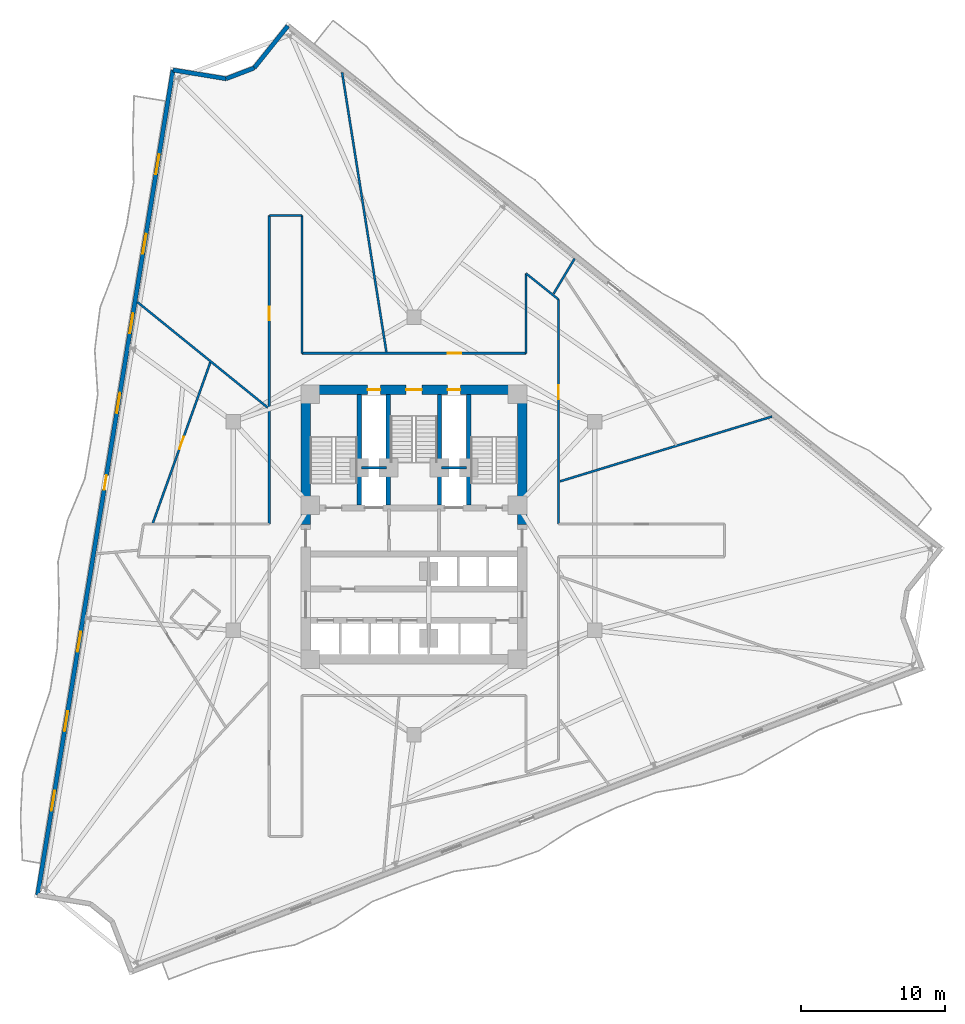
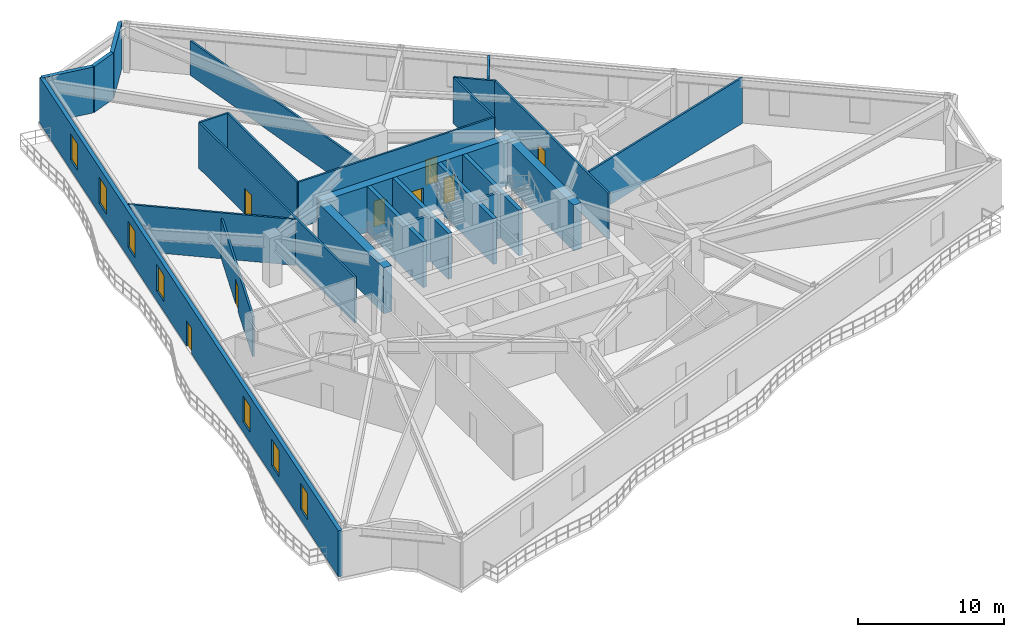
# One storey, part 6 of 11: 25 walls, 8 doors, 7 windows, 15 openings.
"""IFC4 building model written with IfcOpenShell, lengths in metres."""

from ifc_helpers import new_model, si_unit, direction, frame, frame_2d, origin, place, context, subcontext, project, spatial, rectangle, extrude, material, layer, layer_set, type_object, element, fill, save


model = new_model("IFC4")

# Units and contexts
model_context = context("Model", 3, precision=1e-05, world=origin(), true_north=direction((0.0, 1.0)))
body_context = subcontext(model_context, "Body", "Model", "MODEL_VIEW")
ifc_project = project(units=[si_unit("LENGTHUNIT", "METRE"), si_unit("AREAUNIT", "SQUARE_METRE"), si_unit("VOLUMEUNIT", "CUBIC_METRE"), si_unit("PLANEANGLEUNIT", "RADIAN"), si_unit("MASSUNIT", "GRAM", prefix="KILO")], contexts=[model_context])

# Site, building, storey
site_placement = place(None, origin())
site = spatial("IfcSite", under=ifc_project, at=site_placement, CompositionType="ELEMENT")
building_placement = place(site_placement, origin())
building = spatial("IfcBuilding", under=site, at=building_placement, Name="Apsidion Concourse Tower", CompositionType="ELEMENT")
storey_placement = place(building_placement, frame((0.0, 0.0, 148.60009765625)))
storey = spatial("IfcBuildingStorey", under=building, at=storey_placement, Name="L34", CompositionType="ELEMENT", Elevation=148.60009765625)

# Wall, openings, door, windows
ifc_material_1 = material(Name="Precast concrete C40/50", Category="concrete")
ifc_layer_1 = layer(ifc_material_1, 0.300048828125)
ifc_layer_set_1 = layer_set([ifc_layer_1], Name="Precast concrete C40/50")
wall_type_1 = type_object("IfcWallType", Name="WL-EXT-300", PredefinedType="STANDARD", material=ifc_layer_set_1)
wall_1_placement = place(storey_placement, frame((-26.149658203125, -25.64013671875, 0.0), z_axis=(0.0, 0.0, 1.0), x_axis=(0.161975761987, 0.986794736776, 0.0)))
wall_1 = element("IfcWall", 1, at=wall_1_placement, inside=storey, type_object=wall_type_1, Name="L34 Precast Stone Facade Wall 09", PredefinedType="STANDARD", context=body_context, shape_type="SweptSolid", body=[
    extrude(rectangle(XDim=58.093017578125, YDim=0.300048828125, at=frame_2d((29.04638671875, 0.0))), origin(), (0.0, 0.0, 1.0), 3.849853515625),
])
opening_1_placement = place(wall_1_placement, frame((28.54638671875, 0.0, 0.0)))
opening_1 = element("IfcOpeningElement", 2, at=opening_1_placement, cuts=wall_1, Name="Opening D-T1L", PredefinedType="OPENING", context=body_context, shape_type="SweptSolid", body=[
    extrude(rectangle(XDim=1.0, YDim=2.14990234375, at=frame_2d((0.5, 1.074951171875))), frame((0.0, 0.16015625, 0.0), z_axis=(0.0, -1.0, 0.0), x_axis=(1.0, 0.0, 0.0)), (0.0, 0.0, 1.0), 0.320068359375),
])
opening_2_placement = place(wall_1_placement, frame((5.946533203125, 0.0, 0.85009765625)))
opening_2 = element("IfcOpeningElement", 3, at=opening_2_placement, cuts=wall_1, Name="Opening WN-05", PredefinedType="OPENING", context=body_context, shape_type="SweptSolid", body=[
    extrude(rectangle(XDim=1.39990234375, YDim=2.199951171875, at=frame_2d((0.699951171875, 1.10009765625))), frame((0.0, 0.16015625, 0.0), z_axis=(0.0, -1.0, 0.0), x_axis=(1.0, 0.0, 0.0)), (0.0, 0.0, 1.0), 0.320068359375),
])
opening_3_placement = place(wall_1_placement, frame((11.54638671875, 0.0, 0.85009765625)))
opening_3 = element("IfcOpeningElement", 4, at=opening_3_placement, cuts=wall_1, Name="Opening WN-05", PredefinedType="OPENING", context=body_context, shape_type="SweptSolid", body=[
    extrude(rectangle(XDim=1.39990234375, YDim=2.199951171875, at=frame_2d((0.699951171875, 1.10009765625))), frame((0.0, 0.16015625, 0.0), z_axis=(0.0, -1.0, 0.0), x_axis=(1.0, 0.0, 0.0)), (0.0, 0.0, 1.0), 0.320068359375),
])
opening_4_placement = place(wall_1_placement, frame((17.146484375, 0.0, 0.85009765625)))
opening_4 = element("IfcOpeningElement", 5, at=opening_4_placement, cuts=wall_1, Name="Opening WN-05", PredefinedType="OPENING", context=body_context, shape_type="SweptSolid", body=[
    extrude(rectangle(XDim=1.39990234375, YDim=2.199951171875, at=frame_2d((0.699951171875, 1.10009765625))), frame((0.0, 0.16015625, 0.0), z_axis=(0.0, -1.0, 0.0), x_axis=(1.0, 0.0, 0.0)), (0.0, 0.0, 1.0), 0.320068359375),
])
opening_5_placement = place(wall_1_placement, frame((33.946533203125, 0.0, 0.85009765625)))
opening_5 = element("IfcOpeningElement", 6, at=opening_5_placement, cuts=wall_1, Name="Opening WN-05", PredefinedType="OPENING", context=body_context, shape_type="SweptSolid", body=[
    extrude(rectangle(XDim=1.39990234375, YDim=2.199951171875, at=frame_2d((0.699951171875, 1.10009765625))), frame((0.0, 0.16015625, 0.0), z_axis=(0.0, -1.0, 0.0), x_axis=(1.0, 0.0, 0.0)), (0.0, 0.0, 1.0), 0.320068359375),
])
opening_6_placement = place(wall_1_placement, frame((39.54638671875, 0.0, 0.85009765625)))
opening_6 = element("IfcOpeningElement", 7, at=opening_6_placement, cuts=wall_1, Name="Opening WN-05", PredefinedType="OPENING", context=body_context, shape_type="SweptSolid", body=[
    extrude(rectangle(XDim=1.39990234375, YDim=2.199951171875, at=frame_2d((0.699951171875, 1.10009765625))), frame((0.0, 0.16015625, 0.0), z_axis=(0.0, -1.0, 0.0), x_axis=(1.0, 0.0, 0.0)), (0.0, 0.0, 1.0), 0.320068359375),
])
opening_7_placement = place(wall_1_placement, frame((45.146484375, 0.0, 0.85009765625)))
opening_7 = element("IfcOpeningElement", 8, at=opening_7_placement, cuts=wall_1, Name="Opening WN-05", PredefinedType="OPENING", context=body_context, shape_type="SweptSolid", body=[
    extrude(rectangle(XDim=1.39990234375, YDim=2.199951171875, at=frame_2d((0.699951171875, 1.10009765625))), frame((0.0, 0.16015625, 0.0), z_axis=(0.0, -1.0, 0.0), x_axis=(1.0, 0.0, 0.0)), (0.0, 0.0, 1.0), 0.320068359375),
])
opening_8_placement = place(wall_1_placement, frame((50.74658203125, 0.0, 0.85009765625)))
opening_8 = element("IfcOpeningElement", 9, at=opening_8_placement, cuts=wall_1, Name="Opening WN-05", PredefinedType="OPENING", context=body_context, shape_type="SweptSolid", body=[
    extrude(rectangle(XDim=1.39990234375, YDim=2.199951171875, at=frame_2d((0.699951171875, 1.10009765625))), frame((0.0, 0.16015625, 0.0), z_axis=(0.0, -1.0, 0.0), x_axis=(1.0, 0.0, 0.0)), (0.0, 0.0, 1.0), 0.320068359375),
])
ifc_material_2 = material(Name="Anodised aluminium EN AW-6063 T6", Category="aluminium")
door_type_1 = type_object("IfcDoorType", Name="DR-TER-1022L", OperationType="SINGLE_SWING_LEFT", PredefinedType="DOOR", material=ifc_material_2)
door_1_placement = place(opening_1_placement, origin())
door_1 = element("IfcDoor", 10, at=door_1_placement, inside=storey, type_object=door_type_1, Name="L34 Balcony Access Door 1", OperationType="SINGLE_SWING_LEFT", OverallHeight=2.14990234375, OverallWidth=1.0, PredefinedType="DOOR", context=body_context, shape_type="SweptSolid", body=[
    extrude(rectangle(XDim=1.0, YDim=2.14990234375, at=frame_2d((0.5, 1.074951171875))), frame((0.0, 0.02490234375, 0.0), z_axis=(0.0, -1.0, 0.0), x_axis=(1.0, 0.0, 0.0)), (0.0, 0.0, 1.0), 0.050048828125),
])
fill(opening_1, door_1)
ifc_material_3 = material(Name="Insulated laminated low-E glass", Category="glass")
window_type = type_object("IfcWindowType", Name="WN-OFF-1424", PartitioningType="SINGLE_PANEL", PredefinedType="WINDOW", material=ifc_material_3)
window_1_placement = place(opening_2_placement, origin())
window_1 = element("IfcWindow", 11, at=window_1_placement, inside=storey, type_object=window_type, Name="L34 Punched Facade Window 9-01", OverallHeight=2.199951171875, OverallWidth=1.39990234375, PartitioningType="SINGLE_PANEL", PredefinedType="WINDOW", context=body_context, shape_type="SweptSolid", body=[
    extrude(rectangle(XDim=1.39990234375, YDim=2.199951171875, at=frame_2d((0.699951171875, 1.10009765625))), frame((0.0, 0.030029296875, 0.0), z_axis=(0.0, -1.0, 0.0), x_axis=(1.0, 0.0, 0.0)), (0.0, 0.0, 1.0), 0.06005859375),
])
fill(opening_2, window_1)
window_2_placement = place(opening_3_placement, origin())
window_2 = element("IfcWindow", 12, at=window_2_placement, inside=storey, type_object=window_type, Name="L34 Punched Facade Window 9-02", OverallHeight=2.199951171875, OverallWidth=1.39990234375, PartitioningType="SINGLE_PANEL", PredefinedType="WINDOW", context=body_context, shape_type="SweptSolid", body=[
    extrude(rectangle(XDim=1.39990234375, YDim=2.199951171875, at=frame_2d((0.699951171875, 1.10009765625))), frame((0.0, 0.030029296875, 0.0), z_axis=(0.0, -1.0, 0.0), x_axis=(1.0, 0.0, 0.0)), (0.0, 0.0, 1.0), 0.06005859375),
])
fill(opening_3, window_2)
window_3_placement = place(opening_4_placement, origin())
window_3 = element("IfcWindow", 13, at=window_3_placement, inside=storey, type_object=window_type, Name="L34 Punched Facade Window 9-03", OverallHeight=2.199951171875, OverallWidth=1.39990234375, PartitioningType="SINGLE_PANEL", PredefinedType="WINDOW", context=body_context, shape_type="SweptSolid", body=[
    extrude(rectangle(XDim=1.39990234375, YDim=2.199951171875, at=frame_2d((0.699951171875, 1.10009765625))), frame((0.0, 0.030029296875, 0.0), z_axis=(0.0, -1.0, 0.0), x_axis=(1.0, 0.0, 0.0)), (0.0, 0.0, 1.0), 0.06005859375),
])
fill(opening_4, window_3)
window_4_placement = place(opening_5_placement, origin())
window_4 = element("IfcWindow", 14, at=window_4_placement, inside=storey, type_object=window_type, Name="L34 Punched Facade Window 9-06", OverallHeight=2.199951171875, OverallWidth=1.39990234375, PartitioningType="SINGLE_PANEL", PredefinedType="WINDOW", context=body_context, shape_type="SweptSolid", body=[
    extrude(rectangle(XDim=1.39990234375, YDim=2.199951171875, at=frame_2d((0.699951171875, 1.10009765625))), frame((0.0, 0.030029296875, 0.0), z_axis=(0.0, -1.0, 0.0), x_axis=(1.0, 0.0, 0.0)), (0.0, 0.0, 1.0), 0.06005859375),
])
fill(opening_5, window_4)
window_5_placement = place(opening_6_placement, origin())
window_5 = element("IfcWindow", 15, at=window_5_placement, inside=storey, type_object=window_type, Name="L34 Punched Facade Window 9-07", OverallHeight=2.199951171875, OverallWidth=1.39990234375, PartitioningType="SINGLE_PANEL", PredefinedType="WINDOW", context=body_context, shape_type="SweptSolid", body=[
    extrude(rectangle(XDim=1.39990234375, YDim=2.199951171875, at=frame_2d((0.699951171875, 1.10009765625))), frame((0.0, 0.030029296875, 0.0), z_axis=(0.0, -1.0, 0.0), x_axis=(1.0, 0.0, 0.0)), (0.0, 0.0, 1.0), 0.06005859375),
])
fill(opening_6, window_5)
window_6_placement = place(opening_7_placement, origin())
window_6 = element("IfcWindow", 16, at=window_6_placement, inside=storey, type_object=window_type, Name="L34 Punched Facade Window 9-08", OverallHeight=2.199951171875, OverallWidth=1.39990234375, PartitioningType="SINGLE_PANEL", PredefinedType="WINDOW", context=body_context, shape_type="SweptSolid", body=[
    extrude(rectangle(XDim=1.39990234375, YDim=2.199951171875, at=frame_2d((0.699951171875, 1.10009765625))), frame((0.0, 0.030029296875, 0.0), z_axis=(0.0, -1.0, 0.0), x_axis=(1.0, 0.0, 0.0)), (0.0, 0.0, 1.0), 0.06005859375),
])
fill(opening_7, window_6)
window_7_placement = place(opening_8_placement, origin())
window_7 = element("IfcWindow", 17, at=window_7_placement, inside=storey, type_object=window_type, Name="L34 Punched Facade Window 9-09", OverallHeight=2.199951171875, OverallWidth=1.39990234375, PartitioningType="SINGLE_PANEL", PredefinedType="WINDOW", context=body_context, shape_type="SweptSolid", body=[
    extrude(rectangle(XDim=1.39990234375, YDim=2.199951171875, at=frame_2d((0.699951171875, 1.10009765625))), frame((0.0, 0.030029296875, 0.0), z_axis=(0.0, -1.0, 0.0), x_axis=(1.0, 0.0, 0.0)), (0.0, 0.0, 1.0), 0.06005859375),
])
fill(opening_8, window_7)

# Walls
wall_2_placement = place(storey_placement, frame((-16.739990234375, 31.685791015625, 0.0), z_axis=(0.0, 0.0, 1.0), x_axis=(0.986793455184, -0.161983569556, 0.0)))
element("IfcWall", 18, at=wall_2_placement, inside=storey, type_object=wall_type_1, Name="L34 Precast Stone Facade Wall 10", PredefinedType="STANDARD", context=body_context, shape_type="SweptSolid", body=[
    extrude(rectangle(XDim=3.73779296875, YDim=0.300048828125, at=frame_2d((1.868896484375, 0.0))), origin(), (0.0, 0.0, 1.0), 3.849853515625),
])
wall_3_placement = place(storey_placement, frame((-13.051513671875, 31.080322265625, 0.0), z_axis=(0.0, 0.0, 1.0), x_axis=(0.933582919313, 0.35836145547, 0.0)))
element("IfcWall", 19, at=wall_3_placement, inside=storey, type_object=wall_type_1, Name="L34 Precast Stone Facade Wall 11", PredefinedType="STANDARD", context=body_context, shape_type="SweptSolid", body=[
    extrude(rectangle(XDim=2.0927734375, YDim=0.300048828125, at=frame_2d((1.04638671875, 0.0))), origin(), (0.0, 0.0, 1.0), 3.849853515625),
])
wall_4_placement = place(storey_placement, frame((-11.09765625, 31.830322265625, 0.0), z_axis=(0.0, 0.0, 1.0), x_axis=(0.624949908599, 0.78066485238, 0.0)))
element("IfcWall", 20, at=wall_4_placement, inside=storey, type_object=wall_type_1, Name="L34 Precast Stone Facade Wall 12", PredefinedType="STANDARD", context=body_context, shape_type="SweptSolid", body=[
    extrude(rectangle(XDim=3.73779296875, YDim=0.300048828125, at=frame_2d((1.868896484375, 0.0))), origin(), (0.0, 0.0, 1.0), 3.849853515625),
])

# Wall, opening, door
ifc_material_4 = material(Name="Gypsum plasterboard partition")
ifc_layer_2 = layer(ifc_material_4, 0.14990234375)
ifc_layer_set_2 = layer_set([ifc_layer_2], Name="Gypsum plasterboard partition")
wall_type_2 = type_object("IfcWallType", Name="WL-INT-PAR-150", PredefinedType="PARTITIONING", material=ifc_layer_set_2)
wall_5_placement = place(storey_placement, frame((-10.050048828125, 0.1298828125, 0.0), z_axis=(0.0, 0.0, 1.0), x_axis=(0.0, 1.0, 0.0)))
wall_5 = element("IfcWall", 21, at=wall_5_placement, inside=storey, type_object=wall_type_2, Name="L34 Interior Partition WL-L34-CORR-10", PredefinedType="PARTITIONING", context=body_context, shape_type="SweptSolid", body=[
    extrude(rectangle(XDim=21.4501953125, YDim=0.14990234375, at=frame_2d((10.72509765625, 0.0))), origin(), (0.0, 0.0, 1.0), 3.849853515625),
])
opening_9_placement = place(wall_5_placement, frame((14.171142578125, 0.0, 0.0)))
opening_9 = element("IfcOpeningElement", 22, at=opening_9_placement, cuts=wall_5, Name="Opening D-01R", PredefinedType="OPENING", context=body_context, shape_type="SweptSolid", body=[
    extrude(rectangle(XDim=0.949951171875, YDim=2.14990234375, at=frame_2d((0.47509765625, 1.074951171875))), frame((0.0, 0.0849609375, 0.0), z_axis=(0.0, -1.0, 0.0), x_axis=(1.0, 0.0, 0.0)), (0.0, 0.0, 1.0), 0.169921875),
])
ifc_material_5 = material(Name="Brushed stainless steel 316", Category="steel")
door_type_2 = type_object("IfcDoorType", Name="DR-INT-D01R", OperationType="SINGLE_SWING_RIGHT", PredefinedType="DOOR", material=ifc_material_5)
door_2_placement = place(opening_9_placement, origin())
door_2 = element("IfcDoor", 23, at=door_2_placement, inside=storey, type_object=door_type_2, Name="L34 Corridor Entry Door 08", OperationType="SINGLE_SWING_RIGHT", OverallHeight=2.14990234375, OverallWidth=0.949951171875, PredefinedType="DOOR", context=body_context, shape_type="SweptSolid", body=[
    extrude(rectangle(XDim=0.949951171875, YDim=2.14990234375, at=frame_2d((0.47509765625, 1.074951171875))), frame((0.0, 0.02490234375, 0.0), z_axis=(0.0, -1.0, 0.0), x_axis=(1.0, 0.0, 0.0)), (0.0, 0.0, 1.0), 0.050048828125),
])
fill(opening_9, door_2)

# Walls
wall_6_placement = place(storey_placement, frame((-10.050048828125, 21.580078125, 0.0), z_axis=(0.0, 0.0, 1.0), x_axis=(1.0, 0.0, 0.0)))
element("IfcWall", 24, at=wall_6_placement, inside=storey, type_object=wall_type_2, Name="L34 Interior Partition WL-L34-CORR-11", PredefinedType="PARTITIONING", context=body_context, shape_type="SweptSolid", body=[
    extrude(rectangle(XDim=2.260009765625, YDim=0.14990234375, at=frame_2d((1.1298828125, 0.0))), origin(), (0.0, 0.0, 1.0), 3.849853515625),
])
wall_7_placement = place(storey_placement, frame((-7.7900390625, 21.580078125, 0.0), z_axis=(0.0, 0.0, 1.0), x_axis=(0.0, -1.0, 0.0)))
element("IfcWall", 25, at=wall_7_placement, inside=storey, type_object=wall_type_2, Name="L34 Interior Partition WL-L34-CORR-12", PredefinedType="PARTITIONING", context=body_context, shape_type="SweptSolid", body=[
    extrude(rectangle(XDim=9.580078125, YDim=0.14990234375, at=frame_2d((4.7900390625, 0.0))), origin(), (0.0, 0.0, 1.0), 3.849853515625),
])

# Wall, opening, door
wall_8_placement = place(storey_placement, frame((-7.7900390625, 12.0, 0.0), z_axis=(0.0, 0.0, 1.0), x_axis=(1.0, 0.0, 0.0)))
wall_8 = element("IfcWall", 26, at=wall_8_placement, inside=storey, type_object=wall_type_2, Name="L34 Interior Partition WL-L34-CORR-13", PredefinedType="PARTITIONING", context=body_context, shape_type="SweptSolid", body=[
    extrude(rectangle(XDim=15.580078125, YDim=0.14990234375, at=frame_2d((7.7900390625, 0.0))), origin(), (0.0, 0.0, 1.0), 3.849853515625),
])
opening_10_placement = place(wall_8_placement, frame((10.12548828125, 0.0, 0.0)))
opening_10 = element("IfcOpeningElement", 27, at=opening_10_placement, cuts=wall_8, Name="Opening D-01L", PredefinedType="OPENING", context=body_context, shape_type="SweptSolid", body=[
    extrude(rectangle(XDim=0.949951171875, YDim=2.14990234375, at=frame_2d((0.47509765625, 1.074951171875))), frame((0.0, 0.0849609375, 0.0), z_axis=(0.0, -1.0, 0.0), x_axis=(1.0, 0.0, 0.0)), (0.0, 0.0, 1.0), 0.169921875),
])
door_type_3 = type_object("IfcDoorType", Name="DR-INT-D01L", OperationType="SINGLE_SWING_LEFT", PredefinedType="DOOR", material=ifc_material_5)
door_3_placement = place(opening_10_placement, origin())
door_3 = element("IfcDoor", 28, at=door_3_placement, inside=storey, type_object=door_type_3, Name="L34 Corridor Entry Door 07", OperationType="SINGLE_SWING_LEFT", OverallHeight=2.14990234375, OverallWidth=0.949951171875, PredefinedType="DOOR", context=body_context, shape_type="SweptSolid", body=[
    extrude(rectangle(XDim=0.949951171875, YDim=2.14990234375, at=frame_2d((0.47509765625, 1.074951171875))), frame((0.0, 0.02490234375, 0.0), z_axis=(0.0, -1.0, 0.0), x_axis=(1.0, 0.0, 0.0)), (0.0, 0.0, 1.0), 0.050048828125),
])
fill(opening_10, door_3)

# Walls
wall_9_placement = place(storey_placement, frame((7.7900390625, 12.0, 0.0), z_axis=(0.0, 0.0, 1.0), x_axis=(0.0, 1.0, 0.0)))
element("IfcWall", 29, at=wall_9_placement, inside=storey, type_object=wall_type_2, Name="L34 Interior Partition WL-L34-CORR-14", PredefinedType="PARTITIONING", context=body_context, shape_type="SweptSolid", body=[
    extrude(rectangle(XDim=5.546630859375, YDim=0.14990234375, at=frame_2d((2.7734375, 0.0))), origin(), (0.0, 0.0, 1.0), 3.849853515625),
])
wall_10_placement = place(storey_placement, frame((7.7900390625, 17.546630859375, 0.0), z_axis=(0.0, 0.0, 1.0), x_axis=(0.780646621428, -0.624972681366, 0.0)))
element("IfcWall", 30, at=wall_10_placement, inside=storey, type_object=wall_type_2, Name="L34 Interior Partition WL-L34-CORR-15", PredefinedType="PARTITIONING", context=body_context, shape_type="SweptSolid", body=[
    extrude(rectangle(XDim=2.89501953125, YDim=0.14990234375, at=frame_2d((1.447509765625, 0.0))), origin(), (0.0, 0.0, 1.0), 3.849853515625),
])

# Wall, opening, door
wall_11_placement = place(storey_placement, frame((10.050048828125, 15.7373046875, 0.0), z_axis=(0.0, 0.0, 1.0), x_axis=(0.0, -1.0, 0.0)))
wall_11 = element("IfcWall", 31, at=wall_11_placement, inside=storey, type_object=wall_type_2, Name="L34 Interior Partition WL-L34-CORR-16", PredefinedType="PARTITIONING", context=body_context, shape_type="SweptSolid", body=[
    extrude(rectangle(XDim=15.607421875, YDim=0.14990234375, at=frame_2d((7.8037109375, 0.0))), origin(), (0.0, 0.0, 1.0), 3.849853515625),
])
opening_11_placement = place(wall_11_placement, frame((5.970947265625, 0.0, 0.0)))
opening_11 = element("IfcOpeningElement", 32, at=opening_11_placement, cuts=wall_11, Name="Opening D-01R", PredefinedType="OPENING", context=body_context, shape_type="SweptSolid", body=[
    extrude(rectangle(XDim=0.949951171875, YDim=2.14990234375, at=frame_2d((0.47509765625, 1.074951171875))), frame((0.0, 0.0849609375, 0.0), z_axis=(0.0, -1.0, 0.0), x_axis=(1.0, 0.0, 0.0)), (0.0, 0.0, 1.0), 0.169921875),
])
door_4_placement = place(opening_11_placement, origin())
door_4 = element("IfcDoor", 33, at=door_4_placement, inside=storey, type_object=door_type_2, Name="L34 Corridor Entry Door 06", OperationType="SINGLE_SWING_RIGHT", OverallHeight=2.14990234375, OverallWidth=0.949951171875, PredefinedType="DOOR", context=body_context, shape_type="SweptSolid", body=[
    extrude(rectangle(XDim=0.949951171875, YDim=2.14990234375, at=frame_2d((0.47509765625, 1.074951171875))), frame((0.0, 0.02490234375, 0.0), z_axis=(0.0, -1.0, 0.0), x_axis=(1.0, 0.0, 0.0)), (0.0, 0.0, 1.0), 0.050048828125),
])
fill(opening_11, door_4)

# Walls
wall_12_placement = place(storey_placement, frame((10.155029296875, 3.104736328125, 0.0), z_axis=(0.0, 0.0, 1.0), x_axis=(0.956304415169, 0.292372819408, 0.0)))
element("IfcWall", 34, at=wall_12_placement, inside=storey, type_object=wall_type_2, Name="L34 Interior Partition WL-L34-RAD-01-1", PredefinedType="PARTITIONING", context=body_context, shape_type="SweptSolid", body=[
    extrude(rectangle(XDim=15.397216796875, YDim=0.14990234375, at=frame_2d((7.69873046875, 0.0))), origin(), (0.0, 0.0, 1.0), 3.849853515625),
])
wall_13_placement = place(storey_placement, frame((9.70361328125, 16.1494140625, 0.0), z_axis=(0.0, 0.0, 1.0), x_axis=(0.515051836846, 0.857159031547, 0.0)))
element("IfcWall", 35, at=wall_13_placement, inside=storey, type_object=wall_type_2, Name="L34 Interior Partition WL-L34-RAD-02-2", PredefinedType="PARTITIONING", context=body_context, shape_type="SweptSolid", body=[
    extrude(rectangle(XDim=2.84033203125, YDim=0.14990234375, at=frame_2d((1.420166015625, 0.0))), origin(), (0.0, 0.0, 1.0), 3.849853515625),
])
wall_14_placement = place(storey_placement, frame((-1.917236328125, 12.10498046875, 0.0), z_axis=(0.0, 0.0, 1.0), x_axis=(-0.156433889955, 0.98768843168, 0.0)))
element("IfcWall", 36, at=wall_14_placement, inside=storey, type_object=wall_type_2, Name="L34 Interior Partition WL-L34-RAD-03-1", PredefinedType="PARTITIONING", context=body_context, shape_type="SweptSolid", body=[
    extrude(rectangle(XDim=19.656494140625, YDim=0.14990234375, at=frame_2d((9.828125, 0.0))), origin(), (0.0, 0.0, 1.0), 2.89794921875),
])
wall_15_placement = place(storey_placement, frame((-10.155029296875, 8.223388671875, 0.0), z_axis=(0.0, 0.0, 1.0), x_axis=(-0.777144444288, 0.629322264593, 0.0)))
element("IfcWall", 37, at=wall_15_placement, inside=storey, type_object=wall_type_2, Name="L34 Interior Partition WL-L34-RAD-04-1", PredefinedType="PARTITIONING", context=body_context, shape_type="SweptSolid", body=[
    extrude(rectangle(XDim=11.66357421875, YDim=0.14990234375, at=frame_2d((5.831787109375, 0.0))), origin(), (0.0, 0.0, 1.0), 3.849853515625),
])

# Wall, opening, door
wall_16_placement = place(storey_placement, frame((-14.132568359375, 11.412109375, 0.0), z_axis=(0.0, 0.0, 1.0), x_axis=(-0.336734629302, -0.941599590818, 0.0)))
wall_16 = element("IfcWall", 38, at=wall_16_placement, inside=storey, type_object=wall_type_2, Name="L34 Interior Partition WL-L34-CHD-OFS08", PredefinedType="PARTITIONING", context=body_context, shape_type="SweptSolid", body=[
    extrude(rectangle(XDim=11.960693359375, YDim=0.14990234375, at=frame_2d((5.98046875, 0.0))), origin(), (0.0, 0.0, 1.0), 3.366943359375),
])
opening_12_placement = place(wall_16_placement, frame((5.5302734375, 0.0, 0.0)))
opening_12 = element("IfcOpeningElement", 39, at=opening_12_placement, cuts=wall_16, Name="Opening D-02L", PredefinedType="OPENING", context=body_context, shape_type="SweptSolid", body=[
    extrude(rectangle(XDim=0.89990234375, YDim=2.10009765625, at=frame_2d((0.449951171875, 1.050048828125))), frame((0.0, 0.0849609375, 0.0), z_axis=(0.0, -1.0, 0.0), x_axis=(1.0, 0.0, 0.0)), (0.0, 0.0, 1.0), 0.169921875),
])
door_type_4 = type_object("IfcDoorType", Name="DR-INT-D02L", OperationType="SINGLE_SWING_LEFT", PredefinedType="DOOR", material=ifc_material_2)
door_5_placement = place(opening_12_placement, origin())
door_5 = element("IfcDoor", 40, at=door_5_placement, inside=storey, type_object=door_type_4, Name="L34 Suite Connecting Door OFS08", OperationType="SINGLE_SWING_LEFT", OverallHeight=2.10009765625, OverallWidth=0.89990234375, PredefinedType="DOOR", context=body_context, shape_type="SweptSolid", body=[
    extrude(rectangle(XDim=0.89990234375, YDim=2.10009765625, at=frame_2d((0.449951171875, 1.050048828125))), frame((0.0, 0.02490234375, 0.0), z_axis=(0.0, -1.0, 0.0), x_axis=(1.0, 0.0, 0.0)), (0.0, 0.0, 1.0), 0.050048828125),
])
fill(opening_12, door_5)

# Walls
ifc_layer_3 = layer(ifc_material_4, 0.199951171875)
ifc_layer_set_3 = layer_set([ifc_layer_3], Name="Gypsum plasterboard partition")
wall_type_3 = type_object("IfcWallType", Name="WL-INT-PAR-200", PredefinedType="PARTITIONING", material=ifc_layer_set_3)
for number, where, z_axis, x_axis, name in (
    (41, (-3.64990234375, 4.050048828125, 0.0), (0.0, 0.0, 1.0), (1.0, 0.0, 0.0), "L34 Interior Partition WL-L34-FF1-N"),
    (42, (1.919921875, 4.050048828125, 0.0), (0.0, 0.0, 1.0), (1.0, 0.0, 0.0), "L34 Interior Partition WL-L34-FF2-N"),
):
    element("IfcWall", number, at=place(storey_placement, frame(where, z_axis=z_axis, x_axis=x_axis)), inside=storey, type_object=wall_type_3, Name=name, PredefinedType="PARTITIONING", context=body_context, shape_type="SweptSolid", body=[
        extrude(rectangle(XDim=1.72998046875, YDim=0.199951171875, at=frame_2d((0.864990234375, 0.0))), origin(), (0.0, 0.0, 1.0), 3.849853515625),
    ])
ifc_material_6 = material(Name="Concrete C50/60", Category="concrete")
ifc_layer_4 = layer(ifc_material_6, 0.300048828125)
ifc_layer_set_4 = layer_set([ifc_layer_4], Name="Concrete C50/60")
wall_type_4 = type_object("IfcWallType", Name="WL-SH-300", PredefinedType="SHEAR", material=ifc_layer_set_4)
for number, where, z_axis, x_axis, name in (
    (43, (-3.800048828125, 1.449951171875, 0.0), (0.0, 0.0, 1.0), (0.0, 1.0, 0.0), "L34 Central Core Shear Wall V1"),
    (44, (-1.77490234375, 1.449951171875, 0.0), (0.0, 0.0, 1.0), (0.0, 1.0, 0.0), "L34 Central Core Shear Wall V2"),
    (45, (1.77490234375, 1.449951171875, 0.0), (0.0, 0.0, 1.0), (0.0, 1.0, 0.0), "L34 Central Core Shear Wall V3"),
    (46, (3.800048828125, 1.449951171875, 0.0), (0.0, 0.0, 1.0), (0.0, 1.0, 0.0), "L34 Central Core Shear Wall V4"),
):
    element("IfcWall", number, at=place(storey_placement, frame(where, z_axis=z_axis, x_axis=x_axis)), inside=storey, type_object=wall_type_4, Name=name, PredefinedType="SHEAR", context=body_context, shape_type="SweptSolid", body=[
        extrude(rectangle(XDim=7.699951171875, YDim=0.300048828125, at=frame_2d((3.85009765625, 0.0))), origin(), (0.0, 0.0, 1.0), 3.849853515625),
    ])

# Wall, openings, doors
ifc_layer_5 = layer(ifc_material_6, 0.64990234375)
ifc_layer_set_5 = layer_set([ifc_layer_5], Name="Concrete C50/60")
wall_type_5 = type_object("IfcWallType", Name="WL-SH-650", PredefinedType="SHEAR", material=ifc_layer_set_5)
wall_17_placement = place(storey_placement, frame((-7.52490234375, 9.47509765625, 0.0), z_axis=(0.0, 0.0, 1.0), x_axis=(1.0, 0.0, 0.0)))
wall_17 = element("IfcWall", 47, at=wall_17_placement, inside=storey, type_object=wall_type_5, Name="L34 Central Core Shear Wall N", PredefinedType="SHEAR", context=body_context, shape_type="SweptSolid", body=[
    extrude(rectangle(XDim=15.0498046875, YDim=0.64990234375, at=frame_2d((7.52490234375, 0.0))), origin(), (0.0, 0.0, 1.0), 3.849853515625),
])
opening_13_placement = place(wall_17_placement, frame((6.97509765625, 0.0, 0.0)))
opening_13 = element("IfcOpeningElement", 48, at=opening_13_placement, cuts=wall_17, Name="Opening D-STL", PredefinedType="OPENING", context=body_context, shape_type="SweptSolid", body=[
    extrude(rectangle(XDim=1.10009765625, YDim=2.14990234375, at=frame_2d((0.550048828125, 1.074951171875))), frame((0.0, 0.3349609375, 0.0), z_axis=(0.0, -1.0, 0.0), x_axis=(1.0, 0.0, 0.0)), (0.0, 0.0, 1.0), 0.669921875),
])
opening_14_placement = place(wall_17_placement, frame((4.304931640625, 0.0, 0.0)))
opening_14 = element("IfcOpeningElement", 49, at=opening_14_placement, cuts=wall_17, Name="Opening D-05L", PredefinedType="OPENING", context=body_context, shape_type="SweptSolid", body=[
    extrude(rectangle(XDim=0.8798828125, YDim=2.14990234375, at=frame_2d((0.43994140625, 1.074951171875))), frame((0.0, 0.3349609375, 0.0), z_axis=(0.0, -1.0, 0.0), x_axis=(1.0, 0.0, 0.0)), (0.0, 0.0, 1.0), 0.669921875),
])
opening_15_placement = place(wall_17_placement, frame((9.864990234375, 0.0, 0.0)))
opening_15 = element("IfcOpeningElement", 50, at=opening_15_placement, cuts=wall_17, Name="Opening D-05R", PredefinedType="OPENING", context=body_context, shape_type="SweptSolid", body=[
    extrude(rectangle(XDim=0.8798828125, YDim=2.14990234375, at=frame_2d((0.43994140625, 1.074951171875))), frame((0.0, 0.3349609375, 0.0), z_axis=(0.0, -1.0, 0.0), x_axis=(1.0, 0.0, 0.0)), (0.0, 0.0, 1.0), 0.669921875),
])
door_type_5 = type_object("IfcDoorType", Name="DR-INT-D05L", OperationType="SINGLE_SWING_LEFT", PredefinedType="DOOR", material=ifc_material_5)
door_6_placement = place(opening_14_placement, origin())
door_6 = element("IfcDoor", 51, at=door_6_placement, inside=storey, type_object=door_type_5, Name="L34 Electrical Riser Shaft Access Door", OperationType="SINGLE_SWING_LEFT", OverallHeight=2.14990234375, OverallWidth=0.8798828125, PredefinedType="DOOR", context=body_context, shape_type="SweptSolid", body=[
    extrude(rectangle(XDim=0.8798828125, YDim=2.14990234375, at=frame_2d((0.43994140625, 1.074951171875))), frame((0.0, 0.02490234375, 0.0), z_axis=(0.0, -1.0, 0.0), x_axis=(1.0, 0.0, 0.0)), (0.0, 0.0, 1.0), 0.050048828125),
])
fill(opening_14, door_6)
door_type_6 = type_object("IfcDoorType", Name="DR-INT-D05R", OperationType="SINGLE_SWING_RIGHT", PredefinedType="DOOR", material=ifc_material_5)
door_7_placement = place(opening_15_placement, origin())
door_7 = element("IfcDoor", 52, at=door_7_placement, inside=storey, type_object=door_type_6, Name="L34 Mechanical Riser Shaft Access Door", OperationType="SINGLE_SWING_RIGHT", OverallHeight=2.14990234375, OverallWidth=0.8798828125, PredefinedType="DOOR", context=body_context, shape_type="SweptSolid", body=[
    extrude(rectangle(XDim=0.8798828125, YDim=2.14990234375, at=frame_2d((0.43994140625, 1.074951171875))), frame((0.0, 0.02490234375, 0.0), z_axis=(0.0, -1.0, 0.0), x_axis=(1.0, 0.0, 0.0)), (0.0, 0.0, 1.0), 0.050048828125),
])
fill(opening_15, door_7)
door_type_7 = type_object("IfcDoorType", Name="DR-INT-ST1L", OperationType="SINGLE_SWING_LEFT", PredefinedType="DOOR", material=ifc_material_5)
door_8_placement = place(opening_13_placement, origin())
door_8 = element("IfcDoor", 53, at=door_8_placement, inside=storey, type_object=door_type_7, Name="L34 Core Exit Stair ST3 Door", OperationType="SINGLE_SWING_LEFT", OverallHeight=2.14990234375, OverallWidth=1.10009765625, PredefinedType="DOOR", context=body_context, shape_type="SweptSolid", body=[
    extrude(rectangle(XDim=1.10009765625, YDim=2.14990234375, at=frame_2d((0.550048828125, 1.074951171875))), frame((0.0, 0.02490234375, 0.0), z_axis=(0.0, -1.0, 0.0), x_axis=(1.0, 0.0, 0.0)), (0.0, 0.0, 1.0), 0.050048828125),
])
fill(opening_13, door_8)

# Walls
for number, where, z_axis, x_axis, name in (
    (54, (-7.52490234375, 0.10009765625, 0.0), (0.0, 0.0, 1.0), (0.0, 1.0, 0.0), "L34 Central Core Shear Wall WN"),
    (55, (7.52490234375, 0.10009765625, 0.0), (0.0, 0.0, 1.0), (0.0, 1.0, 0.0), "L34 Central Core Shear Wall EN"),
):
    element("IfcWall", number, at=place(storey_placement, frame(where, z_axis=z_axis, x_axis=x_axis)), inside=storey, type_object=wall_type_5, Name=name, PredefinedType="SHEAR", context=body_context, shape_type="SweptSolid", body=[
        extrude(rectangle(XDim=9.0498046875, YDim=0.64990234375, at=frame_2d((4.52490234375, 0.0))), origin(), (0.0, 0.0, 1.0), 3.849853515625),
    ])

save(model, "model.ifc")
